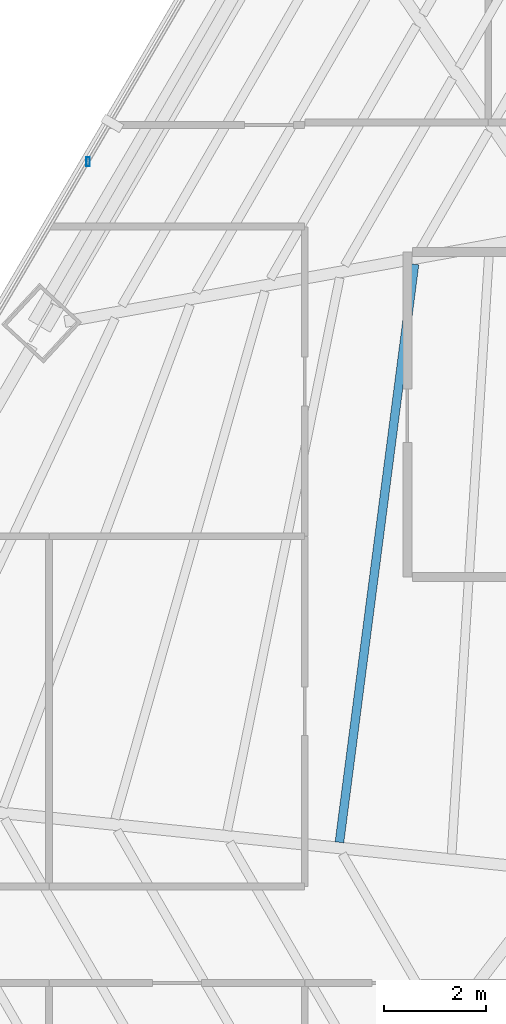
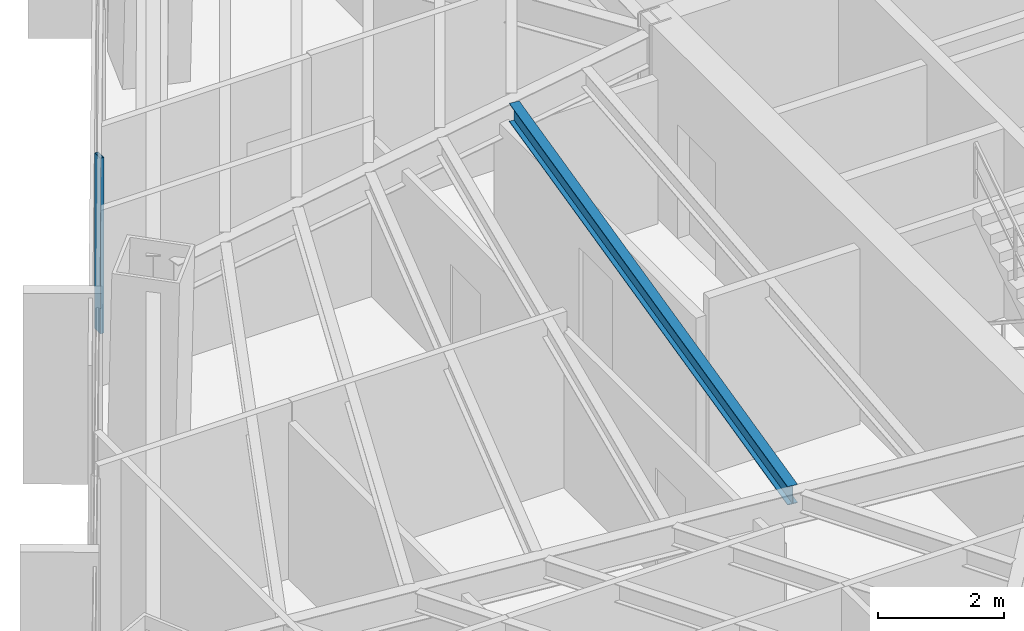
# One storey, part 12 of 36: 1 beam, 1 member, 1 element without a shape of its own.
"""IFC4 building model written with IfcOpenShell, lengths in metres."""

import ifcopenshell
import ifcopenshell.guid

model = None  # the IFC model being written
_history = None  # IfcOwnerHistory: only IFC2X3 demands one
_inside = {}  # id of a spatial element -> (the spatial element, [elements in it])
_under = {}  # id of a project, library or spatial element -> (it, [spatial elements below it])
_declared = {}  # id of a project -> (the project, [libraries it declares])
_typed = {}  # id of a type object -> (the type object, [elements of that type])
_made_of = {}  # id of a material, layer set ... -> (it, [elements and type objects made of it])


def new_model(schema):
    """Start an empty IFC model of exactly this schema.

    Asked for "IFC4X3", IfcOpenShell would pick the latest addendum, in which some entities
    have other attributes; the version numbers below select the first issue.
    IFC2X3 requires an IfcOwnerHistory on every rooted entity: one is made here for all.
    """
    global model, _history
    if schema == "IFC4X3":
        model = ifcopenshell.file(schema_version=(4, 3, 0, 0))
    else:
        model = ifcopenshell.file(schema=schema)
    _inside.clear()
    _under.clear()
    _declared.clear()
    _typed.clear()
    _made_of.clear()
    _history = None
    if model.schema == "IFC2X3":
        org = make("IfcOrganization", Name="unknown")
        user = make(
            "IfcPersonAndOrganization",
            ThePerson=make("IfcPerson", FamilyName="unknown"),
            TheOrganization=org,
        )
        app = make(
            "IfcApplication",
            ApplicationDeveloper=org,
            Version="unknown",
            ApplicationFullName="unknown",
            ApplicationIdentifier="unknown",
        )
        _history = make(
            "IfcOwnerHistory",
            OwningUser=user,
            OwningApplication=app,
            ChangeAction="ADDED",
            CreationDate=0,
        )
    return model


def make(cls, **values):
    """One entity of the class cls with the attributes given. An attribute that is None is left unset."""
    return model.create_entity(
        cls, **{name: value for name, value in values.items() if value is not None}
    )


def rooted(cls, **values):
    """An entity with a GlobalId (a new one), such as an element, a storey or a relation."""
    return make(cls, GlobalId=ifcopenshell.guid.new(), OwnerHistory=_history, **values)


def si_unit(unit_type, name, prefix=None):
    """IfcSIUnit, for example si_unit("LENGTHUNIT", "METRE", prefix="MILLI")."""
    return make("IfcSIUnit", UnitType=unit_type, Prefix=prefix, Name=name)


def assignment(units):
    """IfcUnitAssignment: the units of a project."""
    return None if units is None else make("IfcUnitAssignment", Units=units)


def point(xyz):
    """IfcCartesianPoint."""
    return None if xyz is None else make("IfcCartesianPoint", Coordinates=xyz)


def direction(xyz):
    """IfcDirection."""
    return None if xyz is None else make("IfcDirection", DirectionRatios=xyz)


def frame(location, z_axis=None, x_axis=None):
    """IfcAxis2Placement3D, a coordinate frame: its origin and axes. An axis left out is left unset."""
    return make(
        "IfcAxis2Placement3D",
        Location=point(location),
        Axis=direction(z_axis),
        RefDirection=direction(x_axis),
    )


def frame_2d(location, x_axis=None):
    """IfcAxis2Placement2D, a coordinate frame in the plane: its origin and x axis."""
    return make(
        "IfcAxis2Placement2D", Location=point(location), RefDirection=direction(x_axis)
    )


def origin():
    """The frame at (0, 0, 0) with its axes left unset."""
    return frame((0.0, 0.0, 0.0))


def origin_2d():
    """The frame at (0, 0) in the plane with its x axis left unset."""
    return frame_2d((0.0, 0.0))


def place(relative_to, where):
    """IfcLocalPlacement: puts the frame where relative to a parent placement (None: the world)."""
    return make(
        "IfcLocalPlacement", PlacementRelTo=relative_to, RelativePlacement=where
    )


def context(
    kind, dimensions, precision=None, world=None, true_north=None, identifier=None
):
    """IfcGeometricRepresentationContext, for example the 3D "Model" context."""
    return make(
        "IfcGeometricRepresentationContext",
        ContextIdentifier=identifier,
        ContextType=kind,
        CoordinateSpaceDimension=dimensions,
        Precision=precision,
        WorldCoordinateSystem=world,
        TrueNorth=true_north,
    )


def subcontext(parent, identifier, kind, view, scale=None):
    """IfcGeometricRepresentationSubContext, for example "Body" below "Model"."""
    return make(
        "IfcGeometricRepresentationSubContext",
        ContextIdentifier=identifier,
        ContextType=kind,
        ParentContext=parent,
        TargetScale=scale,
        TargetView=view,
    )


def project(units=None, contexts=None):
    """IfcProject with its units and contexts."""
    return rooted(
        "IfcProject",
        Name="project",
        RepresentationContexts=contexts,
        UnitsInContext=assignment(units),
    )


def spatial(cls, under=None, at=None, **own):
    """A site, building, storey or space (cls), placed at a placement, below another one or the project."""
    s = rooted(cls, ObjectPlacement=at, **own)
    if under is not None:
        _under.setdefault(under.id(), (under, []))[1].append(s)
    return s


def profile(cls, at=None, kind="AREA", **sizes):
    """A parametric profile (cls). Its sizes go by their IFC names, for example OverallWidth=200.0."""
    return make(cls, ProfileType=kind, Position=at, **sizes)


def hollow_rectangle(**sizes):
    """IfcRectangleHollowProfileDef."""
    return profile("IfcRectangleHollowProfileDef", **sizes)


def i_section(**sizes):
    """IfcIShapeProfileDef."""
    return profile("IfcIShapeProfileDef", **sizes)


def extrude(swept, where, along, depth):
    """IfcExtrudedAreaSolid: the profile swept, set in the frame where, extruded along a direction by depth."""
    return make(
        "IfcExtrudedAreaSolid",
        SweptArea=swept,
        Position=where,
        ExtrudedDirection=direction(along),
        Depth=depth,
    )


def shape(context_of_items, identifier, shape_type, items):
    """IfcShapeRepresentation: the items that make up one representation, for example the "Body"."""
    return make(
        "IfcShapeRepresentation",
        ContextOfItems=context_of_items,
        RepresentationIdentifier=identifier,
        RepresentationType=shape_type,
        Items=items,
    )


def source(mapping_origin, context_of_items, identifier, shape_type, items):
    """IfcRepresentationMap: a shape defined once, which mapped items show again and again."""
    return make(
        "IfcRepresentationMap",
        MappingOrigin=mapping_origin,
        MappedRepresentation=shape(context_of_items, identifier, shape_type, items),
    )


def transform(
    local_origin,
    x_axis=None,
    y_axis=None,
    z_axis=None,
    scale=None,
    scale2=None,
    scale3=None,
    uniform=True,
):
    """IfcCartesianTransformationOperator3D, or its non-uniform kind. x_axis, y_axis, z_axis: its Axis1, 2, 3."""
    if uniform:
        return make(
            "IfcCartesianTransformationOperator3D",
            Axis1=direction(x_axis),
            Axis2=direction(y_axis),
            LocalOrigin=point(local_origin),
            Scale=scale,
            Axis3=direction(z_axis),
        )
    return make(
        "IfcCartesianTransformationOperator3DnonUniform",
        Axis1=direction(x_axis),
        Axis2=direction(y_axis),
        LocalOrigin=point(local_origin),
        Scale=scale,
        Axis3=direction(z_axis),
        Scale2=scale2,
        Scale3=scale3,
    )


def mapped(mapping_source, mapping_target):
    """IfcMappedItem: shows the shape of a source again, moved by a transform."""
    return make(
        "IfcMappedItem", MappingSource=mapping_source, MappingTarget=mapping_target
    )


def material(Name=None, Category=None):
    """IfcMaterial."""
    return make("IfcMaterial", Name=Name, Category=Category)


def material_profile(
    of_material, cross_section, Name=None, Category=None, Priority=None
):
    """IfcMaterialProfile: a cross section and its material."""
    return make(
        "IfcMaterialProfile",
        Name=Name,
        Material=of_material,
        Profile=cross_section,
        Priority=Priority,
        Category=Category,
    )


def profile_set(profiles, Name=None, composite=None):
    """IfcMaterialProfileSet."""
    return make(
        "IfcMaterialProfileSet",
        Name=Name,
        MaterialProfiles=profiles,
        CompositeProfile=composite,
    )


def made_of(thing, what):
    """Note that an element or type object is made of a material, layer set ...; save() writes the relation."""
    if what is not None:
        _made_of.setdefault(what.id(), (what, []))[1].append(thing)
    return thing


def type_object(cls, material=None, **own):
    """A type object (cls), such as IfcWallType, which elements share."""
    return made_of(rooted(cls, **own), material)


def type_shapes(of_type, sources):
    """Give a type object the sources (RepresentationMaps) that its elements show as mapped items."""
    of_type.RepresentationMaps = sources


def element(
    cls,
    number,
    at=None,
    inside=None,
    cuts=None,
    type_object=None,
    material=None,
    context=None,
    identifier="Body",
    shape_type=None,
    held_by="IfcProductDefinitionShape",
    body=None,
    shapes=None,
    **own,
):
    """One element of the class cls, such as IfcWall. Its Tag is "e" and its number.

    at: its placement. inside: the storey or other place that contains it. cuts: it is an
    opening in that element (IfcRelVoidsElement). A single representation is given by context,
    identifier, shape_type and body (its items); several are given by shapes. held_by: the class
    of the entity that holds the representations. save() writes the other relations.
    """
    e = rooted(cls, Tag="e%d" % number, ObjectPlacement=at, **own)
    if body is not None:
        shapes = [shape(context, identifier, shape_type, body)]
    if shapes is not None:
        e.Representation = make(held_by, Representations=shapes)
    if inside is not None:
        _inside.setdefault(inside.id(), (inside, []))[1].append(e)
    if cuts is not None:
        rooted(
            "IfcRelVoidsElement", RelatingBuildingElement=cuts, RelatedOpeningElement=e
        )
    if type_object is not None:
        _typed.setdefault(type_object.id(), (type_object, []))[1].append(e)
    return made_of(e, material)


def aggregate(whole, parts):
    """IfcRelAggregates: a whole, such as a stair, and the parts it consists of."""
    return rooted("IfcRelAggregates", RelatingObject=whole, RelatedObjects=parts)


def save(model, path):
    """Write the relations noted so far, then the file.

    IfcRelAggregates (storeys below a building ...), IfcRelContainedInSpatialStructure (elements
    in a storey), IfcRelDefinesByType, IfcRelAssociatesMaterial and IfcRelDeclares: one each for
    every whole, place, type object, material and project.
    """
    for whole, parts in _under.values():
        aggregate(whole, parts)
    for where, things in _inside.values():
        rooted(
            "IfcRelContainedInSpatialStructure",
            RelatedElements=things,
            RelatingStructure=where,
        )
    for kind, things in _typed.values():
        rooted("IfcRelDefinesByType", RelatedObjects=things, RelatingType=kind)
    for what, things in _made_of.values():
        rooted("IfcRelAssociatesMaterial", RelatedObjects=things, RelatingMaterial=what)
    for by, libraries in _declared.values():
        rooted("IfcRelDeclares", RelatingContext=by, RelatedDefinitions=libraries)
    model.write(path)


model = new_model("IFC4")

# Units and contexts
model_context = context("Model", 3, precision=1e-05, world=origin(), true_north=direction((0.0, 1.0)))
body_context = subcontext(model_context, "Body", "Model", "MODEL_VIEW")
ifc_project = project(units=[si_unit("LENGTHUNIT", "METRE"), si_unit("AREAUNIT", "SQUARE_METRE"), si_unit("VOLUMEUNIT", "CUBIC_METRE"), si_unit("PLANEANGLEUNIT", "RADIAN"), si_unit("MASSUNIT", "GRAM", prefix="KILO")], contexts=[model_context])

# Site, building, storey
site_placement = place(None, origin())
site = spatial("IfcSite", under=ifc_project, at=site_placement, CompositionType="ELEMENT")
building_placement = place(site_placement, origin())
building = spatial("IfcBuilding", under=site, at=building_placement, Name="Caelisora Broadcast Tower", CompositionType="ELEMENT")
storey_placement = place(building_placement, frame((0.0, 0.0, 112.699951171875)))
storey = spatial("IfcBuildingStorey", under=building, at=storey_placement, Name="L29", CompositionType="ELEMENT", Elevation=112.699951171875)

# Beam
ifc_material_1 = material(Name="Steel Grade 350 (AS/NZS 3679.1)", Category="steel")
ifc_material_profile_1 = material_profile(ifc_material_1, i_section(OverallWidth=0.172119140625, OverallDepth=0.358642578125, WebThickness=0.008056640625, FlangeThickness=0.012939453125, at=origin_2d()), Name="Steel Grade 350 (AS/NZS 3679.1)")
ifc_profile_set_1 = profile_set([ifc_material_profile_1], Name="Steel Grade 350 (AS/NZS 3679.1)")
beam_type = type_object("IfcBeamType", Name="SB02", PredefinedType="JOIST", material=ifc_profile_set_1)
shared_shape_1 = source(origin(), body_context, "Body", "SweptSolid", [
    extrude(i_section(OverallWidth=0.172119140625, OverallDepth=0.358642578125, WebThickness=0.008056640625, FlangeThickness=0.012939453125, at=origin_2d()), origin(), (0.0, 0.0, 1.0), 11.480712890625),
])
type_shapes(beam_type, [shared_shape_1])
beam_placement = place(storey_placement, frame((27.558349609375, 29.3564453125, 3.220703125), z_axis=(-0.12873915145, -0.991678491692, 0.0), x_axis=(0.991678491692, -0.12873915145, 0.0)))
element("IfcBeam", 1, at=beam_placement, inside=storey, type_object=beam_type, Name="L29 beam SB02", PredefinedType="JOIST", context=body_context, shape_type="MappedRepresentation", body=[
    mapped(shared_shape_1, transform((0.0, 0.0, 0.0), scale=1.0)),
])

# Curtain wall, member
ifc_material_2 = material(Name="Unitised Aluminium Insulated Shadow-Box Spandrel Curtain Wall", Category="aluminium")
curtain_wall_type = type_object("IfcCurtainWallType", Name="CW-SP1", PredefinedType="NOTDEFINED", material=ifc_material_2)
curtain_wall_placement = place(storey_placement, origin())
curtain_wall = element("IfcCurtainWall", 2, at=curtain_wall_placement, inside=storey, type_object=curtain_wall_type, Name="L29 curtain wall CW-SP1", PredefinedType="NOTDEFINED")
ifc_material_3 = material(Name="Aluminium 6063-T6 Anodised Terracotta Bronze", Category="aluminium")
ifc_material_profile_2 = material_profile(ifc_material_3, hollow_rectangle(XDim=0.06494140625, YDim=0.179931640625, WallThickness=0.00341796875, at=origin_2d()), Name="Aluminium 6063-T6 Anodised Terracotta Bronze")
ifc_profile_set_2 = profile_set([ifc_material_profile_2], Name="Aluminium 6063-T6 Anodised Terracotta Bronze")
member_type = type_object("IfcMemberType", Name="CWM-02", PredefinedType="MULLION", material=ifc_profile_set_2)
shared_shape_2 = source(origin(), body_context, "Body", "SweptSolid", [
    extrude(hollow_rectangle(XDim=0.06494140625, YDim=0.179931640625, WallThickness=0.00341796875, at=origin_2d()), origin(), (0.0, 0.0, 1.0), 3.400146484375),
])
type_shapes(member_type, [shared_shape_2])
member_placement = place(storey_placement, frame((21.1298828125, 31.376953125, 0.0), z_axis=(0.0, 0.0, 1.0), x_axis=(1.0, 0.0, 0.0)))
member = element("IfcMember", 3, at=member_placement, type_object=member_type, Name="L29-CW-B10 mullion #1", PredefinedType="MULLION", context=body_context, shape_type="MappedRepresentation", body=[
    mapped(shared_shape_2, transform((0.0, 0.0, 0.0), scale=1.0)),
])
aggregate(curtain_wall, [member])

save(model, "model.ifc")
